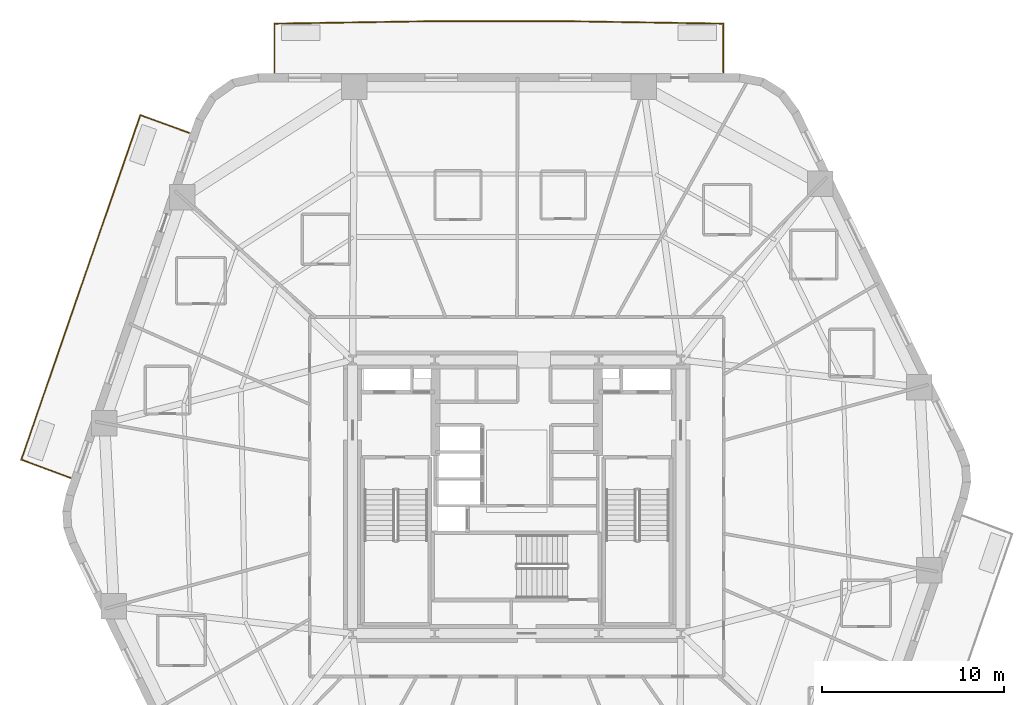
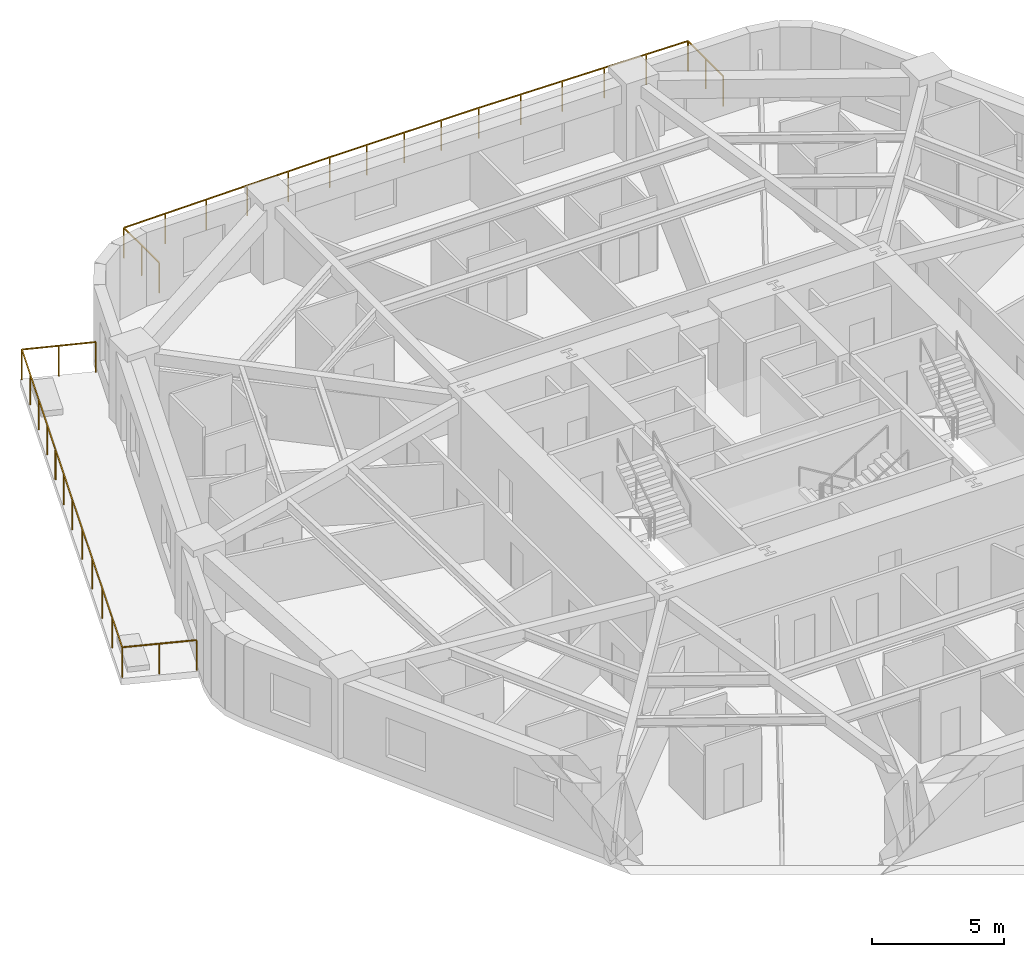
# One storey, part 11 of 11: 2 railings.
"""IFC4 building model written with IfcOpenShell, lengths in metres."""

from ifc_helpers import new_model, si_unit, direction, frame, origin, origin_2d, place, context, subcontext, project, spatial, rectangle, extrude, material, layer, layer_set, type_object, element, save


model = new_model("IFC4")

# Units and contexts
model_context = context("Model", 3, precision=1e-05, world=origin(), true_north=direction((0.0, 1.0)))
body_context = subcontext(model_context, "Body", "Model", "MODEL_VIEW")
ifc_project = project(units=[si_unit("LENGTHUNIT", "METRE"), si_unit("AREAUNIT", "SQUARE_METRE"), si_unit("VOLUMEUNIT", "CUBIC_METRE"), si_unit("PLANEANGLEUNIT", "RADIAN"), si_unit("MASSUNIT", "GRAM", prefix="KILO")], contexts=[model_context])

# Site, building, storey
site_placement = place(None, origin())
site = spatial("IfcSite", under=ifc_project, at=site_placement, CompositionType="ELEMENT")
building_placement = place(site_placement, origin())
building = spatial("IfcBuilding", under=site, at=building_placement, Name="Kilnhurst Terrace Hotel", CompositionType="ELEMENT")
storey_placement = place(building_placement, frame((0.0, 0.0, 41.60009765625)))
storey = spatial("IfcBuildingStorey", under=building, at=storey_placement, Name="L08", CompositionType="ELEMENT", Elevation=41.60009765625)

# Railings
ifc_material = material(Name="Laminated SentryGlas and Stainless Steel AISI 316L Balustrade", Category="steel")
ifc_layer = layer(ifc_material, 0.070068359375, Name="Laminated SentryGlas and Stainless Steel AISI 316L Balustrade")
ifc_layer_set = layer_set([ifc_layer], Name="Laminated SentryGlas and Stainless Steel AISI 316L Balustrade")
railing_type = type_object("IfcRailingType", Name="RLG-BAL-1420", PredefinedType="BALUSTRADE", material=ifc_layer_set)
railing_1_placement = place(storey_placement, frame((-13.281494140625, 23.280029296875, 0.0)))
element("IfcRailing", 1, at=railing_1_placement, inside=storey, type_object=railing_type, Name="L08 Exterior Terrace Guardrail BAL-L2A.1", PredefinedType="BALUSTRADE", context=body_context, shape_type="SweptSolid", body=[
    extrude(rectangle(XDim=0.048095703125, YDim=0.048095703125, at=origin_2d()), frame((0.0, 0.0, 1.39599609375), z_axis=(0.0, 1.0, 0.0), x_axis=(-1.0, 0.0, 0.0)), (0.0, 0.0, 1.0), 2.660888671875),
    extrude(rectangle(XDim=0.048095703125, YDim=0.048095703125, at=origin_2d()), frame((0.0, 2.660888671875, 1.39599609375), z_axis=(0.999881869157, 0.015370352358, 0.0), x_axis=(-0.015370352358, 0.999881869157, 0.0)), (0.0, 0.0, 1.0), 9.0537109375),
    extrude(rectangle(XDim=0.048095703125, YDim=0.048095703125, at=origin_2d()), frame((9.052734375, 2.800048828125, 1.39599609375), z_axis=(1.0, 0.0, 0.0), x_axis=(0.0, 1.0, 0.0)), (0.0, 0.0, 1.0), 6.508056640625),
    extrude(rectangle(XDim=0.048095703125, YDim=0.048095703125, at=origin_2d()), frame((15.560791015625, 2.800048828125, 1.39599609375), z_axis=(0.999881869157, -0.015370352358, 0.0), x_axis=(0.015370352358, 0.999881869157, 0.0)), (0.0, 0.0, 1.0), 9.0537109375),
    extrude(rectangle(XDim=0.048095703125, YDim=0.048095703125, at=origin_2d()), frame((24.613525390625, 2.660888671875, 1.39599609375), z_axis=(0.0, -1.0, 0.0), x_axis=(1.0, 0.0, 0.0)), (0.0, 0.0, 1.0), 2.660888671875),
    extrude(rectangle(XDim=0.0419921875, YDim=0.0419921875, at=origin_2d()), origin(), (0.0, 0.0, 1.0), 1.371826171875),
    extrude(rectangle(XDim=0.0419921875, YDim=0.0419921875, at=origin_2d()), frame((0.0, 1.33056640625, 0.0)), (0.0, 0.0, 1.0), 1.371826171875),
    extrude(rectangle(XDim=0.0419921875, YDim=0.0419921875, at=origin_2d()), frame((0.0, 2.660888671875, 0.0)), (0.0, 0.0, 1.0), 1.371826171875),
    extrude(rectangle(XDim=0.0419921875, YDim=0.0419921875, at=origin_2d()), frame((1.810546875, 2.688720703125, 0.0)), (0.0, 0.0, 1.0), 1.371826171875),
    extrude(rectangle(XDim=0.0419921875, YDim=0.0419921875, at=origin_2d()), frame((3.62109375, 2.716552734375, 0.0)), (0.0, 0.0, 1.0), 1.371826171875),
    extrude(rectangle(XDim=0.0419921875, YDim=0.0419921875, at=origin_2d()), frame((5.431640625, 2.744384765625, 0.0)), (0.0, 0.0, 1.0), 1.371826171875),
    extrude(rectangle(XDim=0.0419921875, YDim=0.0419921875, at=origin_2d()), frame((7.2421875, 2.772216796875, 0.0)), (0.0, 0.0, 1.0), 1.371826171875),
    extrude(rectangle(XDim=0.0419921875, YDim=0.0419921875, at=origin_2d()), frame((9.052734375, 2.800048828125, 0.0)), (0.0, 0.0, 1.0), 1.371826171875),
    extrude(rectangle(XDim=0.0419921875, YDim=0.0419921875, at=origin_2d()), frame((10.6796875, 2.800048828125, 0.0)), (0.0, 0.0, 1.0), 1.371826171875),
    extrude(rectangle(XDim=0.0419921875, YDim=0.0419921875, at=origin_2d()), frame((12.306640625, 2.800048828125, 0.0)), (0.0, 0.0, 1.0), 1.371826171875),
    extrude(rectangle(XDim=0.0419921875, YDim=0.0419921875, at=origin_2d()), frame((13.933837890625, 2.800048828125, 0.0)), (0.0, 0.0, 1.0), 1.371826171875),
    extrude(rectangle(XDim=0.0419921875, YDim=0.0419921875, at=origin_2d()), frame((15.560791015625, 2.800048828125, 0.0)), (0.0, 0.0, 1.0), 1.371826171875),
    extrude(rectangle(XDim=0.0419921875, YDim=0.0419921875, at=origin_2d()), frame((17.371337890625, 2.772216796875, 0.0)), (0.0, 0.0, 1.0), 1.371826171875),
    extrude(rectangle(XDim=0.0419921875, YDim=0.0419921875, at=origin_2d()), frame((19.181884765625, 2.744384765625, 0.0)), (0.0, 0.0, 1.0), 1.371826171875),
    extrude(rectangle(XDim=0.0419921875, YDim=0.0419921875, at=origin_2d()), frame((20.992431640625, 2.716552734375, 0.0)), (0.0, 0.0, 1.0), 1.371826171875),
    extrude(rectangle(XDim=0.0419921875, YDim=0.0419921875, at=origin_2d()), frame((22.802978515625, 2.688720703125, 0.0)), (0.0, 0.0, 1.0), 1.371826171875),
    extrude(rectangle(XDim=0.0419921875, YDim=0.0419921875, at=origin_2d()), frame((24.613525390625, 2.660888671875, 0.0)), (0.0, 0.0, 1.0), 1.371826171875),
    extrude(rectangle(XDim=0.0419921875, YDim=0.0419921875, at=origin_2d()), frame((24.613525390625, 1.33056640625, 0.0)), (0.0, 0.0, 1.0), 1.371826171875),
    extrude(rectangle(XDim=0.0419921875, YDim=0.0419921875, at=origin_2d()), frame((24.613525390625, 0.0, 0.0)), (0.0, 0.0, 1.0), 1.371826171875),
])
railing_2_placement = place(storey_placement, frame((-24.485107421875, 1.041748046875, 0.0)))
element("IfcRailing", 2, at=railing_2_placement, inside=storey, type_object=railing_type, Name="L08 Exterior Terrace Guardrail BAL-L2B.1", PredefinedType="BALUSTRADE", context=body_context, shape_type="SweptSolid", body=[
    extrude(rectangle(XDim=0.048095703125, YDim=0.048095703125, at=origin_2d()), frame((0.0, 0.0, 1.39599609375), z_axis=(-0.937279097592, 0.348579823308, 0.0), x_axis=(-0.348579823308, -0.937279097592, 0.0)), (0.0, 0.0, 1.0), 2.85205078125),
    extrude(rectangle(XDim=0.048095703125, YDim=0.048095703125, at=origin_2d()), frame((-2.673095703125, 0.994140625, 1.39599609375), z_axis=(0.326159116329, 0.945314884488, 0.0), x_axis=(-0.945314884488, 0.326159116329, 0.0)), (0.0, 0.0, 1.0), 9.91650390625),
    extrude(rectangle(XDim=0.048095703125, YDim=0.048095703125, at=origin_2d()), frame((0.561279296875, 10.368408203125, 1.39599609375), z_axis=(0.326903959129, 0.945057565181, 0.0), x_axis=(-0.945057565181, 0.326903959129, 0.0)), (0.0, 0.0, 1.0), 10.065673828125),
    extrude(rectangle(XDim=0.048095703125, YDim=0.048095703125, at=origin_2d()), frame((3.851806640625, 19.881103515625, 1.39599609375), z_axis=(0.939926315563, -0.341377388402, 0.0), x_axis=(0.341377388402, 0.939926315563, 0.0)), (0.0, 0.0, 1.0), 2.84130859375),
    extrude(rectangle(XDim=0.0419921875, YDim=0.0419921875, at=origin_2d()), origin(), (0.0, 0.0, 1.0), 1.371826171875),
    extrude(rectangle(XDim=0.0419921875, YDim=0.0419921875, at=origin_2d()), frame((-1.33642578125, 0.4970703125, 0.0)), (0.0, 0.0, 1.0), 1.371826171875),
    extrude(rectangle(XDim=0.0419921875, YDim=0.0419921875, at=origin_2d()), frame((-2.673095703125, 0.994140625, 0.0)), (0.0, 0.0, 1.0), 1.371826171875),
    extrude(rectangle(XDim=0.0419921875, YDim=0.0419921875, at=origin_2d()), frame((-2.026123046875, 2.868896484375, 0.0)), (0.0, 0.0, 1.0), 1.371826171875),
    extrude(rectangle(XDim=0.0419921875, YDim=0.0419921875, at=origin_2d()), frame((-1.37939453125, 4.743896484375, 0.0)), (0.0, 0.0, 1.0), 1.371826171875),
    extrude(rectangle(XDim=0.0419921875, YDim=0.0419921875, at=origin_2d()), frame((-0.732421875, 6.61865234375, 0.0)), (0.0, 0.0, 1.0), 1.371826171875),
    extrude(rectangle(XDim=0.0419921875, YDim=0.0419921875, at=origin_2d()), frame((-0.085693359375, 8.49365234375, 0.0)), (0.0, 0.0, 1.0), 1.371826171875),
    extrude(rectangle(XDim=0.0419921875, YDim=0.0419921875, at=origin_2d()), frame((0.561279296875, 10.368408203125, 0.0)), (0.0, 0.0, 1.0), 1.371826171875),
    extrude(rectangle(XDim=0.0419921875, YDim=0.0419921875, at=origin_2d()), frame((1.109619140625, 11.953857421875, 0.0)), (0.0, 0.0, 1.0), 1.371826171875),
    extrude(rectangle(XDim=0.0419921875, YDim=0.0419921875, at=origin_2d()), frame((1.658203125, 13.539306640625, 0.0)), (0.0, 0.0, 1.0), 1.371826171875),
    extrude(rectangle(XDim=0.0419921875, YDim=0.0419921875, at=origin_2d()), frame((2.20654296875, 15.124755859375, 0.0)), (0.0, 0.0, 1.0), 1.371826171875),
    extrude(rectangle(XDim=0.0419921875, YDim=0.0419921875, at=origin_2d()), frame((2.7548828125, 16.710205078125, 0.0)), (0.0, 0.0, 1.0), 1.371826171875),
    extrude(rectangle(XDim=0.0419921875, YDim=0.0419921875, at=origin_2d()), frame((3.303466796875, 18.295654296875, 0.0)), (0.0, 0.0, 1.0), 1.371826171875),
    extrude(rectangle(XDim=0.0419921875, YDim=0.0419921875, at=origin_2d()), frame((3.851806640625, 19.881103515625, 0.0)), (0.0, 0.0, 1.0), 1.371826171875),
    extrude(rectangle(XDim=0.0419921875, YDim=0.0419921875, at=origin_2d()), frame((5.18701171875, 19.39599609375, 0.0)), (0.0, 0.0, 1.0), 1.371826171875),
    extrude(rectangle(XDim=0.0419921875, YDim=0.0419921875, at=origin_2d()), frame((6.5224609375, 18.9111328125, 0.0)), (0.0, 0.0, 1.0), 1.371826171875),
])

save(model, "model.ifc")
